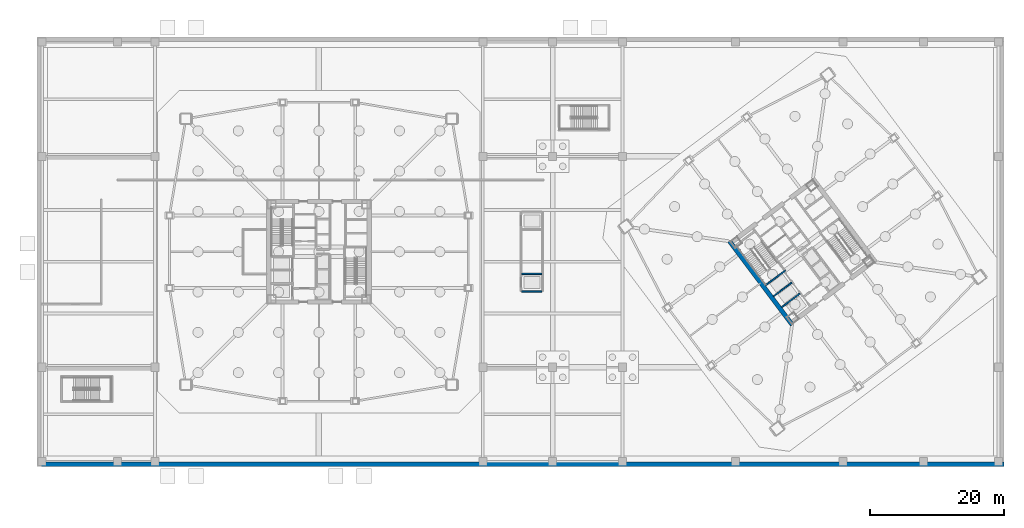
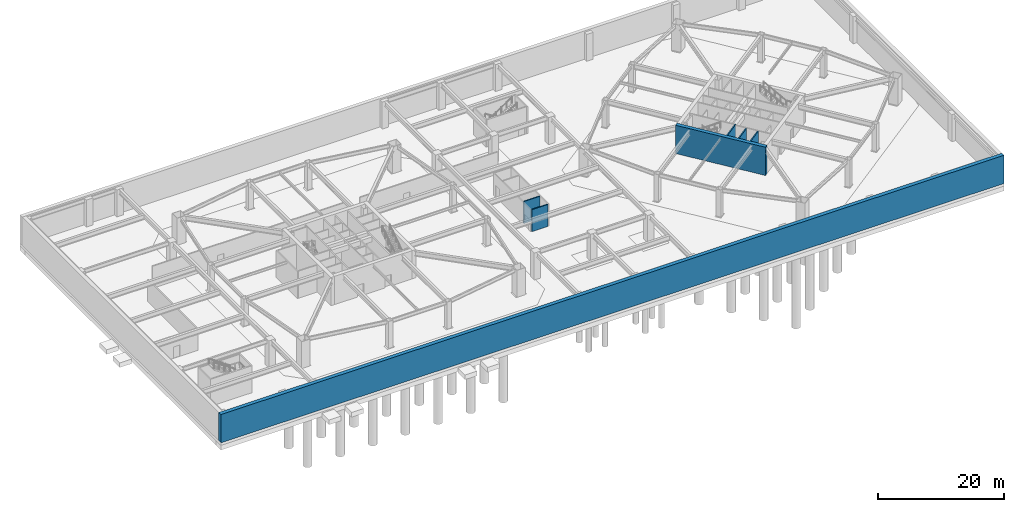
# One storey, part 10 of 19: 7 walls.
"""IFC4 building model written with IfcOpenShell, lengths in metres."""

from ifc_helpers import new_model, si_unit, direction, frame, frame_2d, origin, place, context, subcontext, project, spatial, rectangle, extrude, material, layer, layer_set, type_object, element, save


model = new_model("IFC4")

# Units and contexts
model_context = context("Model", 3, precision=1e-05, world=origin(), true_north=direction((0.0, 1.0)))
body_context = subcontext(model_context, "Body", "Model", "MODEL_VIEW")
ifc_project = project(units=[si_unit("LENGTHUNIT", "METRE"), si_unit("AREAUNIT", "SQUARE_METRE"), si_unit("VOLUMEUNIT", "CUBIC_METRE"), si_unit("PLANEANGLEUNIT", "RADIAN"), si_unit("MASSUNIT", "GRAM", prefix="KILO")], contexts=[model_context])

# Site, building, storey
site_placement = place(None, origin())
site = spatial("IfcSite", under=ifc_project, at=site_placement, CompositionType="ELEMENT")
building_placement = place(site_placement, origin())
building = spatial("IfcBuilding", under=site, at=building_placement, Name="Tashvorn Skyway Center", CompositionType="ELEMENT")
storey_placement = place(building_placement, frame((0.0, 0.0, -11.0)))
storey = spatial("IfcBuildingStorey", under=building, at=storey_placement, Name="B2", CompositionType="ELEMENT", Elevation=-11.0)

# Walls
ifc_material_1 = material(Name="Concrete C60/75", Category="concrete")
ifc_layer_1 = layer(ifc_material_1, 0.64990234375)
ifc_layer_set_1 = layer_set([ifc_layer_1], Name="Concrete C60/75")
wall_type_1 = type_object("IfcWallType", Name="WALL-CORE-650", PredefinedType="SHEAR", material=ifc_layer_set_1)
wall_1_placement = place(storey_placement, frame((112.47607421875, 21.10693359375, 0.0), z_axis=(0.0, 0.0, 1.0), x_axis=(-0.600005007985, 0.799996243986, 0.0)))
element("IfcWall", 1, at=wall_1_placement, inside=storey, type_object=wall_type_1, Name="Tower 2 B2 West Core Shear Wall", PredefinedType="SHEAR", context=body_context, shape_type="SweptSolid", body=[
    extrude(rectangle(XDim=15.60009765625, YDim=0.64990234375, at=frame_2d((7.800048828125, 0.0))), origin(), (0.0, 0.0, 1.0), 5.5),
])
ifc_layer_2 = layer(ifc_material_1, 0.699951171875)
ifc_layer_set_2 = layer_set([ifc_layer_2], Name="Concrete C60/75")
wall_type_2 = type_object("IfcWallType", Name="WALL-RET-700", PredefinedType="SOLIDWALL", material=ifc_layer_set_2)
wall_2_placement = place(storey_placement, frame((144.0, 0.35009765625, 0.0), z_axis=(0.0, 0.0, 1.0), x_axis=(-1.0, 0.0, 0.0)))
element("IfcWall", 2, at=wall_2_placement, inside=storey, type_object=wall_type_2, Name="B2 Basement Retaining Wall S", PredefinedType="SOLIDWALL", context=body_context, shape_type="SweptSolid", body=[
    extrude(rectangle(XDim=144.0, YDim=0.699951171875, at=frame_2d((72.0, 0.0))), origin(), (0.0, 0.0, 1.0), 5.5),
])
ifc_material_2 = material(Name="Concrete C40/50", Category="concrete")
ifc_layer_3 = layer(ifc_material_2, 0.199951171875)
ifc_layer_set_3 = layer_set([ifc_layer_3], Name="Concrete C40/50")
wall_type_3 = type_object("IfcWallType", Name="WALL-SHAFT-200", PredefinedType="SOLIDWALL", material=ifc_layer_set_3)
for number, where, z_axis, x_axis, name in (
    (3, (110.906005859375, 23.741943359375, 0.0), (0.0, 0.0, 1.0), (0.8, 0.6, 0.0), "Tower 2 B2 FSAE Shaft Divider"),
    (4, (109.68798828125, 25.365966796875, 0.0), (0.0, 0.0, 1.0), (0.8, 0.6, 0.0), "Tower 2 B2 FSAE Shaft Divider"),
):
    element("IfcWall", number, at=place(storey_placement, frame(where, z_axis=z_axis, x_axis=x_axis)), inside=storey, type_object=wall_type_3, Name=name, PredefinedType="SOLIDWALL", context=body_context, shape_type="SweptSolid", body=[
        extrude(rectangle(XDim=3.380126953125, YDim=0.199951171875, at=frame_2d((1.68994140625, 0.0))), origin(), (0.0, 0.0, 1.0), 5.239990234375),
    ])
for number, where, z_axis, x_axis, name in (
    (5, (72.199951171875, 26.10009765625, 0.0), (0.0, 0.0, 1.0), (1.0, 0.0, 0.0), "B2 Station Lift Divider"),
    (6, (72.199951171875, 28.699951171875, 0.0), (0.0, 0.0, 1.0), (1.0, 0.0, 0.0), "B2 Station Lift Divider"),
):
    element("IfcWall", number, at=place(storey_placement, frame(where, z_axis=z_axis, x_axis=x_axis)), inside=storey, type_object=wall_type_3, Name=name, PredefinedType="SOLIDWALL", context=body_context, shape_type="SweptSolid", body=[
        extrude(rectangle(XDim=3.0, YDim=0.199951171875, at=frame_2d((1.5, 0.0))), origin(), (0.0, 0.0, 1.0), 4.282958984375),
    ])
ifc_layer_4 = layer(ifc_material_2, 0.199951171875)
ifc_layer_set_4 = layer_set([ifc_layer_4], Name="Concrete C40/50")
wall_type_4 = type_object("IfcWallType", Name="WALL-STSHF-200", PredefinedType="SHEAR", material=ifc_layer_set_4)
wall_3_placement = place(storey_placement, frame((108.47607421875, 26.98193359375, 0.0), z_axis=(0.0, 0.0, 1.0), x_axis=(0.799984290658, 0.600020945218, 0.0)))
element("IfcWall", 7, at=wall_3_placement, inside=storey, type_object=wall_type_4, Name="Tower 2 B2 Stair 1 South Wall", PredefinedType="SHEAR", context=body_context, shape_type="SweptSolid", body=[
    extrude(rectangle(XDim=3.72998046875, YDim=0.199951171875, at=frame_2d((1.864990234375, 0.0))), origin(), (0.0, 0.0, 1.0), 5.239990234375),
])

save(model, "model.ifc")
